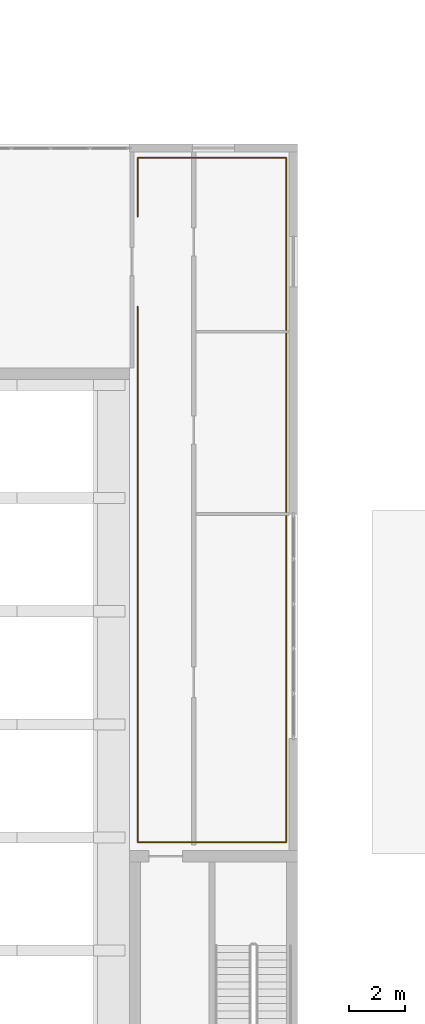
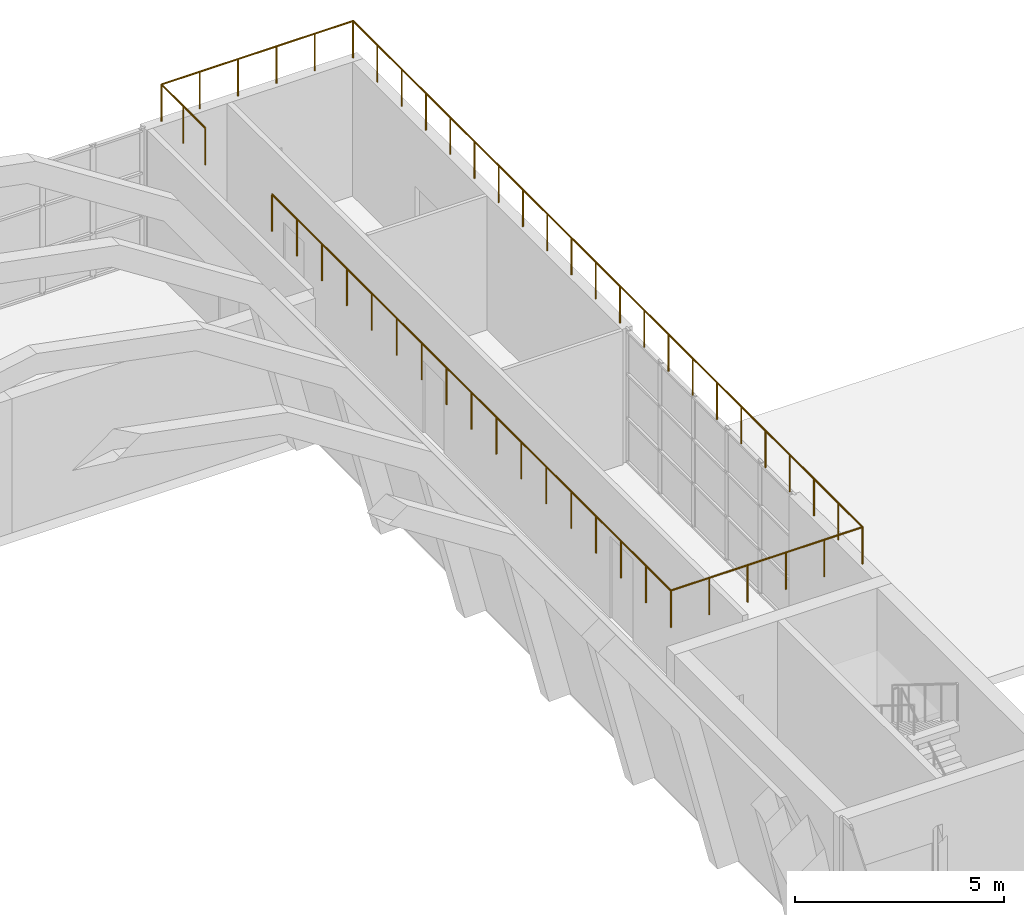
# One storey, part 94 of 96: 1 railing.
"""IFC4 building model written with IfcOpenShell, lengths in metres."""

from ifc_helpers import new_model, si_unit, direction, frame, origin, origin_2d, place, context, subcontext, project, spatial, circle, extrude, material, type_object, element, save


model = new_model("IFC4")

# Units and contexts
model_context = context("Model", 3, precision=1e-05, world=origin(), true_north=direction((0.0, 1.0)))
body_context = subcontext(model_context, "Body", "Model", "MODEL_VIEW")
ifc_project = project(units=[si_unit("LENGTHUNIT", "METRE"), si_unit("AREAUNIT", "SQUARE_METRE"), si_unit("VOLUMEUNIT", "CUBIC_METRE"), si_unit("PLANEANGLEUNIT", "RADIAN"), si_unit("MASSUNIT", "GRAM", prefix="KILO")], contexts=[model_context])

# Site, building, storey
site_placement = place(None, origin())
site = spatial("IfcSite", under=ifc_project, at=site_placement, CompositionType="ELEMENT")
building_placement = place(site_placement, origin())
building = spatial("IfcBuilding", under=site, at=building_placement, Name="Cresset Court Congress Hotel", CompositionType="ELEMENT")
storey_placement = place(building_placement, frame((0.0, 0.0, 6.0)))
storey = spatial("IfcBuildingStorey", under=building, at=storey_placement, Name="L01", CompositionType="ELEMENT", Elevation=6.0)

# Railing
ifc_material = material(Name="Stainless steel and toughened glass", Category="steel")
railing_type = type_object("IfcRailingType", Name="Terrace guard 1100", PredefinedType="GUARDRAIL", material=ifc_material)
railing_placement = place(storey_placement, frame((151.5, 103.39990234375, 4.199951171875)))
element("IfcRailing", 1, at=railing_placement, inside=storey, type_object=railing_type, Name="Terrace guard", PredefinedType="GUARDRAIL", context=body_context, shape_type="SweptSolid", body=[
    extrude(circle(Radius=0.02392578125, at=origin_2d()), frame((0.0, 0.0, 1.076171875), z_axis=(0.0, -1.0, 0.0), x_axis=(1.0, 0.0, 0.0)), (0.0, 0.0, 1.0), 19.099853515625),
    extrude(circle(Radius=0.02392578125, at=origin_2d()), frame((0.0, -19.099853515625, 1.076171875), z_axis=(1.0, 0.0, 0.0), x_axis=(0.0, 1.0, 0.0)), (0.0, 0.0, 1.0), 5.300048828125),
    extrude(circle(Radius=0.02392578125, at=origin_2d()), frame((5.300048828125, -19.099853515625, 1.076171875), z_axis=(0.0, 1.0, 0.0), x_axis=(-1.0, 0.0, 0.0)), (0.0, 0.0, 1.0), 24.39990234375),
    extrude(circle(Radius=0.02392578125, at=origin_2d()), frame((5.300048828125, 5.300048828125, 1.076171875), z_axis=(-1.0, 0.0, 0.0), x_axis=(0.0, -1.0, 0.0)), (0.0, 0.0, 1.0), 5.300048828125),
    extrude(circle(Radius=0.02392578125, at=origin_2d()), frame((0.0, 5.300048828125, 1.076171875), z_axis=(0.0, -1.0, 0.0), x_axis=(1.0, 0.0, 0.0)), (0.0, 0.0, 1.0), 2.099853515625),
    extrude(circle(Radius=0.02099609375, at=origin_2d()), origin(), (0.0, 0.0, 1.0), 1.052001953125),
    extrude(circle(Radius=0.02099609375, at=origin_2d()), frame((0.0, -1.19384765625, 0.0)), (0.0, 0.0, 1.0), 1.052001953125),
    extrude(circle(Radius=0.02099609375, at=origin_2d()), frame((0.0, -2.387451171875, 0.0)), (0.0, 0.0, 1.0), 1.052001953125),
    extrude(circle(Radius=0.02099609375, at=origin_2d()), frame((0.0, -3.581298828125, 0.0)), (0.0, 0.0, 1.0), 1.052001953125),
    extrude(circle(Radius=0.02099609375, at=origin_2d()), frame((0.0, -4.77490234375, 0.0)), (0.0, 0.0, 1.0), 1.052001953125),
    extrude(circle(Radius=0.02099609375, at=origin_2d()), frame((0.0, -5.96875, 0.0)), (0.0, 0.0, 1.0), 1.052001953125),
    extrude(circle(Radius=0.02099609375, at=origin_2d()), frame((0.0, -7.162353515625, 0.0)), (0.0, 0.0, 1.0), 1.052001953125),
    extrude(circle(Radius=0.02099609375, at=origin_2d()), frame((0.0, -8.356201171875, 0.0)), (0.0, 0.0, 1.0), 1.052001953125),
    extrude(circle(Radius=0.02099609375, at=origin_2d()), frame((0.0, -9.5498046875, 0.0)), (0.0, 0.0, 1.0), 1.052001953125),
    extrude(circle(Radius=0.02099609375, at=origin_2d()), frame((0.0, -10.74365234375, 0.0)), (0.0, 0.0, 1.0), 1.052001953125),
    extrude(circle(Radius=0.02099609375, at=origin_2d()), frame((0.0, -11.9375, 0.0)), (0.0, 0.0, 1.0), 1.052001953125),
    extrude(circle(Radius=0.02099609375, at=origin_2d()), frame((0.0, -13.131103515625, 0.0)), (0.0, 0.0, 1.0), 1.052001953125),
    extrude(circle(Radius=0.02099609375, at=origin_2d()), frame((0.0, -14.324951171875, 0.0)), (0.0, 0.0, 1.0), 1.052001953125),
    extrude(circle(Radius=0.02099609375, at=origin_2d()), frame((0.0, -15.5185546875, 0.0)), (0.0, 0.0, 1.0), 1.052001953125),
    extrude(circle(Radius=0.02099609375, at=origin_2d()), frame((0.0, -16.71240234375, 0.0)), (0.0, 0.0, 1.0), 1.052001953125),
    extrude(circle(Radius=0.02099609375, at=origin_2d()), frame((0.0, -17.906005859375, 0.0)), (0.0, 0.0, 1.0), 1.052001953125),
    extrude(circle(Radius=0.02099609375, at=origin_2d()), frame((0.0, -19.099853515625, 0.0)), (0.0, 0.0, 1.0), 1.052001953125),
    extrude(circle(Radius=0.02099609375, at=origin_2d()), frame((1.06005859375, -19.099853515625, 0.0)), (0.0, 0.0, 1.0), 1.052001953125),
    extrude(circle(Radius=0.02099609375, at=origin_2d()), frame((2.1201171875, -19.099853515625, 0.0)), (0.0, 0.0, 1.0), 1.052001953125),
    extrude(circle(Radius=0.02099609375, at=origin_2d()), frame((3.179931640625, -19.099853515625, 0.0)), (0.0, 0.0, 1.0), 1.052001953125),
    extrude(circle(Radius=0.02099609375, at=origin_2d()), frame((4.239990234375, -19.099853515625, 0.0)), (0.0, 0.0, 1.0), 1.052001953125),
    extrude(circle(Radius=0.02099609375, at=origin_2d()), frame((5.300048828125, -19.099853515625, 0.0)), (0.0, 0.0, 1.0), 1.052001953125),
    extrude(circle(Radius=0.02099609375, at=origin_2d()), frame((5.300048828125, -17.93798828125, 0.0)), (0.0, 0.0, 1.0), 1.052001953125),
    extrude(circle(Radius=0.02099609375, at=origin_2d()), frame((5.300048828125, -16.776123046875, 0.0)), (0.0, 0.0, 1.0), 1.052001953125),
    extrude(circle(Radius=0.02099609375, at=origin_2d()), frame((5.300048828125, -15.6142578125, 0.0)), (0.0, 0.0, 1.0), 1.052001953125),
    extrude(circle(Radius=0.02099609375, at=origin_2d()), frame((5.300048828125, -14.4521484375, 0.0)), (0.0, 0.0, 1.0), 1.052001953125),
    extrude(circle(Radius=0.02099609375, at=origin_2d()), frame((5.300048828125, -13.290283203125, 0.0)), (0.0, 0.0, 1.0), 1.052001953125),
    extrude(circle(Radius=0.02099609375, at=origin_2d()), frame((5.300048828125, -12.12841796875, 0.0)), (0.0, 0.0, 1.0), 1.052001953125),
    extrude(circle(Radius=0.02099609375, at=origin_2d()), frame((5.300048828125, -10.966552734375, 0.0)), (0.0, 0.0, 1.0), 1.052001953125),
    extrude(circle(Radius=0.02099609375, at=origin_2d()), frame((5.300048828125, -9.8046875, 0.0)), (0.0, 0.0, 1.0), 1.052001953125),
    extrude(circle(Radius=0.02099609375, at=origin_2d()), frame((5.300048828125, -8.642822265625, 0.0)), (0.0, 0.0, 1.0), 1.052001953125),
    extrude(circle(Radius=0.02099609375, at=origin_2d()), frame((5.300048828125, -7.48095703125, 0.0)), (0.0, 0.0, 1.0), 1.052001953125),
    extrude(circle(Radius=0.02099609375, at=origin_2d()), frame((5.300048828125, -6.31884765625, 0.0)), (0.0, 0.0, 1.0), 1.052001953125),
    extrude(circle(Radius=0.02099609375, at=origin_2d()), frame((5.300048828125, -5.156982421875, 0.0)), (0.0, 0.0, 1.0), 1.052001953125),
    extrude(circle(Radius=0.02099609375, at=origin_2d()), frame((5.300048828125, -3.9951171875, 0.0)), (0.0, 0.0, 1.0), 1.052001953125),
    extrude(circle(Radius=0.02099609375, at=origin_2d()), frame((5.300048828125, -2.833251953125, 0.0)), (0.0, 0.0, 1.0), 1.052001953125),
    extrude(circle(Radius=0.02099609375, at=origin_2d()), frame((5.300048828125, -1.67138671875, 0.0)), (0.0, 0.0, 1.0), 1.052001953125),
    extrude(circle(Radius=0.02099609375, at=origin_2d()), frame((5.300048828125, -0.509521484375, 0.0)), (0.0, 0.0, 1.0), 1.052001953125),
    extrude(circle(Radius=0.02099609375, at=origin_2d()), frame((5.300048828125, 0.65234375, 0.0)), (0.0, 0.0, 1.0), 1.052001953125),
    extrude(circle(Radius=0.02099609375, at=origin_2d()), frame((5.300048828125, 1.814453125, 0.0)), (0.0, 0.0, 1.0), 1.052001953125),
    extrude(circle(Radius=0.02099609375, at=origin_2d()), frame((5.300048828125, 2.976318359375, 0.0)), (0.0, 0.0, 1.0), 1.052001953125),
    extrude(circle(Radius=0.02099609375, at=origin_2d()), frame((5.300048828125, 4.13818359375, 0.0)), (0.0, 0.0, 1.0), 1.052001953125),
    extrude(circle(Radius=0.02099609375, at=origin_2d()), frame((5.300048828125, 5.300048828125, 0.0)), (0.0, 0.0, 1.0), 1.052001953125),
    extrude(circle(Radius=0.02099609375, at=origin_2d()), frame((4.239990234375, 5.300048828125, 0.0)), (0.0, 0.0, 1.0), 1.052001953125),
    extrude(circle(Radius=0.02099609375, at=origin_2d()), frame((3.179931640625, 5.300048828125, 0.0)), (0.0, 0.0, 1.0), 1.052001953125),
    extrude(circle(Radius=0.02099609375, at=origin_2d()), frame((2.1201171875, 5.300048828125, 0.0)), (0.0, 0.0, 1.0), 1.052001953125),
    extrude(circle(Radius=0.02099609375, at=origin_2d()), frame((1.06005859375, 5.300048828125, 0.0)), (0.0, 0.0, 1.0), 1.052001953125),
    extrude(circle(Radius=0.02099609375, at=origin_2d()), frame((0.0, 5.300048828125, 0.0)), (0.0, 0.0, 1.0), 1.052001953125),
    extrude(circle(Radius=0.02099609375, at=origin_2d()), frame((0.0, 4.25, 0.0)), (0.0, 0.0, 1.0), 1.052001953125),
    extrude(circle(Radius=0.02099609375, at=origin_2d()), frame((0.0, 3.2001953125, 0.0)), (0.0, 0.0, 1.0), 1.052001953125),
])

save(model, "model.ifc")
